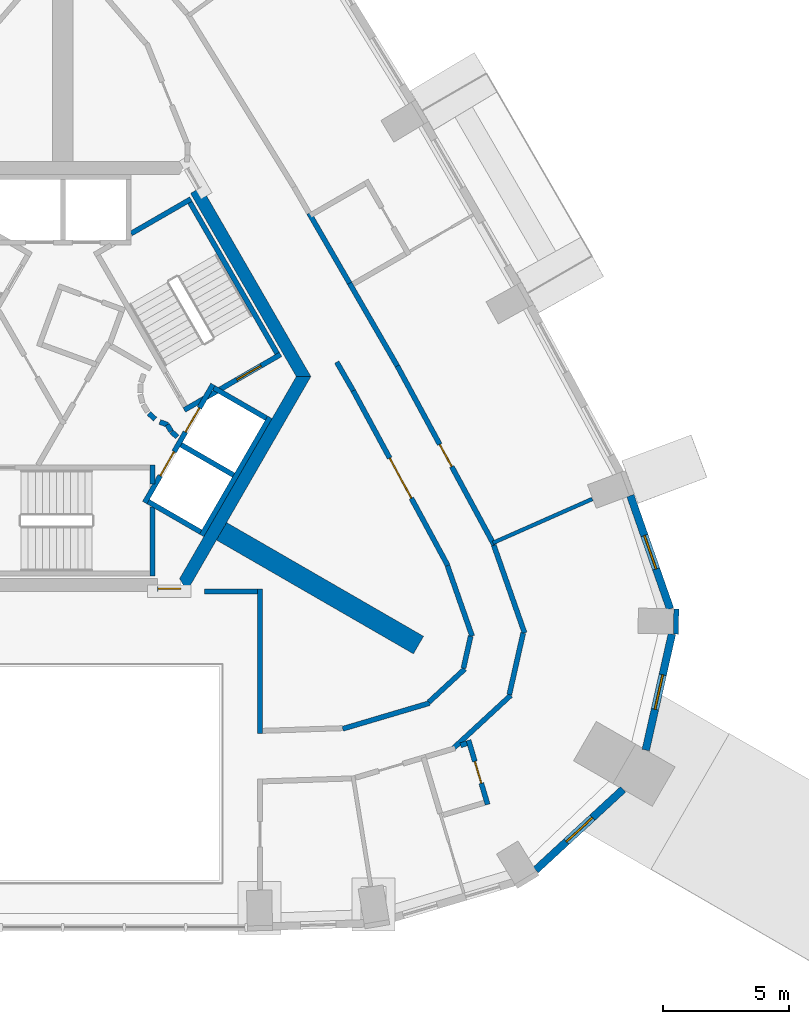
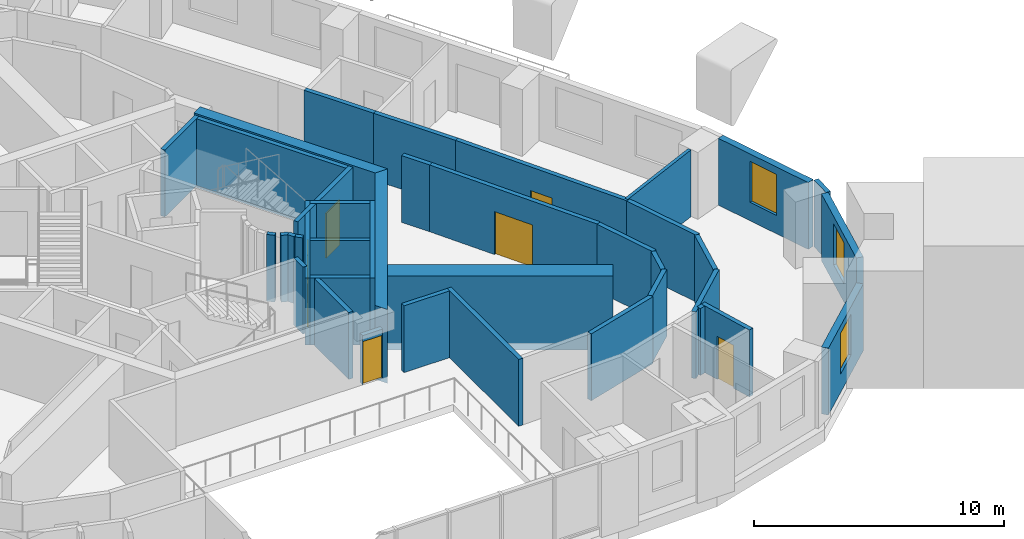
# One storey, part 6 of 11: 39 walls, 7 doors, 3 windows, 10 openings.
"""IFC4 building model written with IfcOpenShell, lengths in metres."""

from ifc_helpers import new_model, si_unit, direction, frame, frame_2d, origin, place, context, subcontext, project, spatial, polyline, rectangle, outline, extrude, material, layer, layer_set, type_object, element, fill, save


model = new_model("IFC4")

# Units and contexts
model_context = context("Model", 3, precision=1e-05, world=origin(), true_north=direction((0.0, 1.0)))
body_context = subcontext(model_context, "Body", "Model", "MODEL_VIEW")
ifc_project = project(units=[si_unit("LENGTHUNIT", "METRE"), si_unit("AREAUNIT", "SQUARE_METRE"), si_unit("VOLUMEUNIT", "CUBIC_METRE"), si_unit("PLANEANGLEUNIT", "RADIAN"), si_unit("MASSUNIT", "GRAM", prefix="KILO")], contexts=[model_context])

# Site, building, storey
site_placement = place(None, origin())
site = spatial("IfcSite", under=ifc_project, at=site_placement, CompositionType="ELEMENT")
building_placement = place(site_placement, origin())
building = spatial("IfcBuilding", under=site, at=building_placement, Name="Entoto Arch Interchange Tower", CompositionType="ELEMENT")
storey_placement = place(building_placement, frame((0.0, 0.0, 318.800048828125)))
storey = spatial("IfcBuildingStorey", under=building, at=storey_placement, Name="L75", CompositionType="ELEMENT", Elevation=318.800048828125)

# Wall
ifc_material_1 = material(Name="Concrete C40/50", Category="concrete")
ifc_layer_1 = layer(ifc_material_1, 0.800048828125)
ifc_layer_set_1 = layer_set([ifc_layer_1], Name="Concrete C40/50")
wall_type_1 = type_object("IfcWallType", Name="Buttress wall 800 C40/50", PredefinedType="SHEAR", material=ifc_layer_set_1)
wall_1_placement = place(storey_placement, frame((6.279052734375, -3.625, -0.340087890625), z_axis=(0.0, 0.0, 1.0), x_axis=(0.866017533419, -0.500013631625, 0.0)))
element("IfcWall", 1, at=wall_1_placement, inside=storey, type_object=wall_type_1, Name="Buttress wall SE L75", PredefinedType="SHEAR", context=body_context, shape_type="SweptSolid", body=[
    extrude(rectangle(XDim=8.999755859375, YDim=0.800048828125, at=frame_2d((4.5, 0.0))), origin(), (0.0, 0.0, 1.0), 3.60009765625),
])

# Wall, opening, door
ifc_material_2 = material(Name="Reinforced concrete C40/50", Category="concrete")
ifc_layer_2 = layer(ifc_material_2, 0.199951171875)
ifc_layer_set_2 = layer_set([ifc_layer_2], Name="Reinforced concrete C40/50")
wall_type_2 = type_object("IfcWallType", Name="CORE GAP INFILL WALL", PredefinedType="PARTITIONING", material=ifc_layer_set_2)
wall_2_placement = place(storey_placement, frame((3.75, -5.89990234375, 0.0), z_axis=(0.0, 0.0, 1.0), x_axis=(1.0, 0.0, 0.0)))
wall_2 = element("IfcWall", 2, at=wall_2_placement, inside=storey, type_object=wall_type_2, Name="wall:L75:gap1", PredefinedType="PARTITIONING", context=body_context, shape_type="SweptSolid", body=[
    extrude(rectangle(XDim=0.926025390625, YDim=0.199951171875, at=frame_2d((0.462890625, 0.0))), origin(), (0.0, 0.0, 1.0), 2.39990234375),
])
opening_1_placement = place(wall_2_placement, frame((0.01708984375, 0.0, 0.0)))
opening_1 = element("IfcOpeningElement", 3, at=opening_1_placement, cuts=wall_2, Name="Opening L75-D91", PredefinedType="OPENING", context=body_context, shape_type="SweptSolid", body=[
    extrude(rectangle(XDim=0.89990234375, YDim=2.10009765625, at=frame_2d((0.449951171875, 1.050048828125))), frame((0.0, 0.10986328125, 0.0), z_axis=(0.0, -1.0, 0.0), x_axis=(1.0, 0.0, 0.0)), (0.0, 0.0, 1.0), 0.219970703125),
])
ifc_material_3 = material(Name="Fire-rated Steel S235 door and frame", Category="steel")
door_type_1 = type_object("IfcDoorType", Name="DOOR FD-09 900x2100", OperationType="SINGLE_SWING_LEFT", PredefinedType="DOOR", material=ifc_material_3)
door_1_placement = place(opening_1_placement, origin())
door_1 = element("IfcDoor", 4, at=door_1_placement, inside=storey, type_object=door_type_1, Name="door:L75:gap1", OperationType="SINGLE_SWING_LEFT", OverallHeight=2.10009765625, OverallWidth=0.89990234375, PredefinedType="DOOR", context=body_context, shape_type="SweptSolid", body=[
    extrude(rectangle(XDim=0.89990234375, YDim=2.10009765625, at=frame_2d((0.449951171875, 1.050048828125))), frame((0.0, 0.02490234375, 0.0), z_axis=(0.0, -1.0, 0.0), x_axis=(1.0, 0.0, 0.0)), (0.0, 0.0, 1.0), 0.050048828125),
])
fill(opening_1, door_1)

# Walls
ifc_layer_3 = layer(ifc_material_1, 0.5)
ifc_layer_set_3 = layer_set([ifc_layer_3], Name="Concrete C40/50")
wall_type_3 = type_object("IfcWallType", Name="Core wall 500 C40/50", PredefinedType="SHEAR", material=ifc_layer_set_3)
wall_3_placement = place(storey_placement, frame((0.0, 0.0, -0.340087890625)))
element("IfcWall", 5, at=wall_3_placement, inside=storey, type_object=wall_type_3, Name="Core wall NE L75", PredefinedType="SHEAR", context=body_context, shape_type="SweptSolid", body=[
    extrude(outline(polyline([(5.486083984375, 9.998046875), (5.052978515625, 9.748046875), (9.238037109375, 2.5), (9.81494140625, 2.5), (5.486083984375, 9.998046875)])), origin(), (0.0, 0.0, 1.0), 3.60009765625),
])
wall_4_placement = place(storey_placement, frame((0.0, 0.0, -0.340087890625)))
element("IfcWall", 6, at=wall_4_placement, inside=storey, type_object=wall_type_3, Name="Core wall SE L75", PredefinedType="SHEAR", context=body_context, shape_type="SweptSolid", body=[
    extrude(outline(polyline([(4.906982421875, -6.0), (9.81494140625, 2.5), (9.238037109375, 2.5), (4.618896484375, -5.5), (4.906982421875, -6.0)])), origin(), (0.0, 0.0, 1.0), 3.60009765625),
])

# Wall, openings, doors
ifc_layer_4 = layer(ifc_material_1, 0.199951171875)
ifc_layer_set_4 = layer_set([ifc_layer_4], Name="Concrete C40/50")
wall_type_4 = type_object("IfcWallType", Name="LIFT SHAFT WALL 200", PredefinedType="STANDARD", material=ifc_layer_set_4)
wall_5_placement = place(storey_placement, frame((3.239990234375, -2.488037109375, 0.0), z_axis=(0.0, 0.0, 1.0), x_axis=(0.500034260056, 0.866005622828, 0.0)))
wall_5 = element("IfcWall", 7, at=wall_5_placement, inside=storey, type_object=wall_type_4, Name="Shaft wall SE1 front", PredefinedType="STANDARD", context=body_context, shape_type="SweptSolid", body=[
    extrude(rectangle(XDim=5.3994140625, YDim=0.199951171875, at=frame_2d((2.69970703125, 0.0))), origin(), (0.0, 0.0, 1.0), 3.260009765625),
])
opening_2_placement = place(wall_5_placement, frame((3.22509765625, 0.0, 0.0)))
opening_2 = element("IfcOpeningElement", 8, at=opening_2_placement, cuts=wall_5, Name="Opening LD-HR3-L75", PredefinedType="OPENING", context=body_context, shape_type="SweptSolid", body=[
    extrude(rectangle(XDim=1.10009765625, YDim=2.10009765625, at=frame_2d((0.550048828125, 1.050048828125))), frame((0.0, 0.10986328125, 0.0), z_axis=(0.0, -1.0, 0.0), x_axis=(1.0, 0.0, 0.0)), (0.0, 0.0, 1.0), 0.219970703125),
])
opening_3_placement = place(wall_5_placement, frame((1.22509765625, 0.0, 0.0)))
opening_3 = element("IfcOpeningElement", 9, at=opening_3_placement, cuts=wall_5, Name="Opening LD-FF1-L75", PredefinedType="OPENING", context=body_context, shape_type="SweptSolid", body=[
    extrude(rectangle(XDim=1.10009765625, YDim=2.10009765625, at=frame_2d((0.550048828125, 1.050048828125))), frame((0.0, 0.10986328125, 0.0), z_axis=(0.0, -1.0, 0.0), x_axis=(1.0, 0.0, 0.0)), (0.0, 0.0, 1.0), 0.219970703125),
])
ifc_material_4 = material(Name="Stainless steel 1.4301 panels", Category="steel")
door_type_2 = type_object("IfcDoorType", Name="LIFT LANDING DOOR LD1 1100x2100", OperationType="SLIDING_TO_LEFT", PredefinedType="DOOR", material=ifc_material_4)
door_2_placement = place(opening_2_placement, origin())
door_2 = element("IfcDoor", 10, at=door_2_placement, inside=storey, type_object=door_type_2, Name="Lift landing door HR3 L75", OperationType="SLIDING_TO_LEFT", OverallHeight=2.10009765625, OverallWidth=1.10009765625, PredefinedType="DOOR", context=body_context, shape_type="SweptSolid", body=[
    extrude(rectangle(XDim=1.10009765625, YDim=2.10009765625, at=frame_2d((0.550048828125, 1.050048828125))), frame((0.0, 0.02490234375, 0.0), z_axis=(0.0, -1.0, 0.0), x_axis=(1.0, 0.0, 0.0)), (0.0, 0.0, 1.0), 0.050048828125),
])
fill(opening_2, door_2)
door_3_placement = place(opening_3_placement, origin())
door_3 = element("IfcDoor", 11, at=door_3_placement, inside=storey, type_object=door_type_2, Name="Lift landing door FF1 L75", OperationType="SLIDING_TO_LEFT", OverallHeight=2.10009765625, OverallWidth=1.10009765625, PredefinedType="DOOR", context=body_context, shape_type="SweptSolid", body=[
    extrude(rectangle(XDim=1.10009765625, YDim=2.10009765625, at=frame_2d((0.550048828125, 1.050048828125))), frame((0.0, 0.02490234375, 0.0), z_axis=(0.0, -1.0, 0.0), x_axis=(1.0, 0.0, 0.0)), (0.0, 0.0, 1.0), 0.050048828125),
])
fill(opening_3, door_3)

# Walls
wall_6_placement = place(storey_placement, frame((5.491943359375, -3.7880859375, 0.0), z_axis=(0.0, 0.0, 1.0), x_axis=(0.500034260056, 0.866005622828, 0.0)))
element("IfcWall", 12, at=wall_6_placement, inside=storey, type_object=wall_type_4, Name="Shaft wall SE1 back", PredefinedType="STANDARD", context=body_context, shape_type="SweptSolid", body=[
    extrude(rectangle(XDim=5.3994140625, YDim=0.199951171875, at=frame_2d((2.69970703125, 0.0))), origin(), (0.0, 0.0, 1.0), 3.260009765625),
])
wall_7_placement = place(storey_placement, frame((3.376953125, -2.451904296875, 0.0), z_axis=(0.0, 0.0, 1.0), x_axis=(0.865955154139, -0.50012165622, 0.0)))
element("IfcWall", 13, at=wall_7_placement, inside=storey, type_object=wall_type_4, Name="Shaft wall SE1 cross 1", PredefinedType="STANDARD", context=body_context, shape_type="SweptSolid", body=[
    extrude(rectangle(XDim=2.39990234375, YDim=0.199951171875, at=frame_2d((1.199951171875, 0.0))), origin(), (0.0, 0.0, 1.0), 3.260009765625),
])
for number, where, z_axis, x_axis, name in (
    (14, (4.677001953125, -0.199951171875, 0.0), (0.0, 0.0, 1.0), (0.865973769406, -0.500089422704, 0.0), "Shaft wall SE1 cross 2"),
    (15, (5.97705078125, 2.052001953125, 0.0), (0.0, 0.0, 1.0), (0.865973769406, -0.500089422704, 0.0), "Shaft wall SE1 cross 3"),
):
    element("IfcWall", number, at=place(storey_placement, frame(where, z_axis=z_axis, x_axis=x_axis)), inside=storey, type_object=wall_type_4, Name=name, PredefinedType="STANDARD", context=body_context, shape_type="SweptSolid", body=[
        extrude(rectangle(XDim=2.3994140625, YDim=0.199951171875, at=frame_2d((1.19970703125, 0.0))), origin(), (0.0, 0.0, 1.0), 3.260009765625),
    ])
ifc_material_5 = material(Name="Gypsum board partition on steel studs", Category="steel")
ifc_layer_5 = layer(ifc_material_5, 0.14990234375)
ifc_layer_set_5 = layer_set([ifc_layer_5], Name="Gypsum board partition on steel studs")
wall_type_5 = type_object("IfcWallType", Name="PARTITION 150", PredefinedType="PARTITIONING", material=ifc_layer_set_5)
wall_8_placement = place(storey_placement, frame((17.02001953125, -4.08203125, 0.0), z_axis=(0.0, 0.0, 1.0), x_axis=(0.914599611743, 0.404360668462, 0.0)))
element("IfcWall", 16, at=wall_8_placement, inside=storey, type_object=wall_type_5, Name="wall:L75:p086", PredefinedType="PARTITIONING", context=body_context, shape_type="SweptSolid", body=[
    extrude(rectangle(XDim=4.2958984375, YDim=0.14990234375, at=frame_2d((2.14794921875, 0.0))), origin(), (0.0, 0.0, 1.0), 3.260009765625),
])
ifc_layer_6 = layer(ifc_material_5, 0.199951171875)
ifc_layer_set_6 = layer_set([ifc_layer_6], Name="Gypsum board partition on steel studs")
wall_type_6 = type_object("IfcWallType", Name="PARTITION 200", PredefinedType="PARTITIONING", material=ifc_layer_set_6)
wall_9_placement = place(storey_placement, frame((11.075927734375, -11.43896484375, 0.0), z_axis=(0.0, 0.0, 1.0), x_axis=(0.958760241353, 0.284216114252, 0.0)))
element("IfcWall", 17, at=wall_9_placement, inside=storey, type_object=wall_type_6, Name="wall:L75:p015", PredefinedType="PARTITIONING", context=body_context, shape_type="SweptSolid", body=[
    extrude(rectangle(XDim=3.57763671875, YDim=0.199951171875, at=frame_2d((1.788818359375, 0.0))), origin(), (0.0, 0.0, 1.0), 3.260009765625),
])
wall_10_placement = place(storey_placement, frame((14.48388671875, -10.382080078125, 0.0), z_axis=(0.0, 0.0, 1.0), x_axis=(0.735026247728, 0.678038653139, 0.0)))
element("IfcWall", 18, at=wall_10_placement, inside=storey, type_object=wall_type_6, Name="wall:L75:p016", PredefinedType="PARTITIONING", context=body_context, shape_type="SweptSolid", body=[
    extrude(rectangle(XDim=1.93212890625, YDim=0.199951171875, at=frame_2d((0.966064453125, 0.0))), origin(), (0.0, 0.0, 1.0), 3.260009765625),
])
wall_11_placement = place(storey_placement, frame((15.85205078125, -9.0419921875, 0.0), z_axis=(0.0, 0.0, 1.0), x_axis=(0.220324178782, 0.975426704701, 0.0)))
element("IfcWall", 19, at=wall_11_placement, inside=storey, type_object=wall_type_6, Name="wall:L75:p017", PredefinedType="PARTITIONING", context=body_context, shape_type="SweptSolid", body=[
    extrude(rectangle(XDim=1.302001953125, YDim=0.199951171875, at=frame_2d((0.65087890625, 0.0))), origin(), (0.0, 0.0, 1.0), 3.260009765625),
])
wall_12_placement = place(storey_placement, frame((16.194091796875, -7.76806640625, 0.0), z_axis=(0.0, 0.0, 1.0), x_axis=(-0.330981563235, 0.943637220969, 0.0)))
element("IfcWall", 20, at=wall_12_placement, inside=storey, type_object=wall_type_6, Name="wall:L75:p018", PredefinedType="PARTITIONING", context=body_context, shape_type="SweptSolid", body=[
    extrude(rectangle(XDim=2.946044921875, YDim=0.199951171875, at=frame_2d((1.47314453125, 0.0))), origin(), (0.0, 0.0, 1.0), 3.260009765625),
])

# Wall, opening, door
wall_13_placement = place(storey_placement, frame((15.23291015625, -4.98193359375, 0.0), z_axis=(0.0, 0.0, 1.0), x_axis=(-0.475643534049, 0.879638123615, 0.0)))
wall_13 = element("IfcWall", 21, at=wall_13_placement, inside=storey, type_object=wall_type_6, Name="wall:L75:p019", PredefinedType="PARTITIONING", context=body_context, shape_type="SweptSolid", body=[
    extrude(rectangle(XDim=7.871337890625, YDim=0.199951171875, at=frame_2d((3.935546875, 0.0))), origin(), (0.0, 0.0, 1.0), 3.260009765625),
])
opening_4_placement = place(wall_13_placement, frame((3.035888671875, 0.0, 0.0)))
opening_4 = element("IfcOpeningElement", 22, at=opening_4_placement, cuts=wall_13, Name="Opening L75-D19", PredefinedType="OPENING", context=body_context, shape_type="SweptSolid", body=[
    extrude(rectangle(XDim=1.800048828125, YDim=2.10009765625, at=frame_2d((0.89990234375, 1.050048828125))), frame((0.0, 0.10986328125, 0.0), z_axis=(0.0, -1.0, 0.0), x_axis=(1.0, 0.0, 0.0)), (0.0, 0.0, 1.0), 0.219970703125),
])
ifc_material_6 = material(Name="Timber door leaf in Steel S235 frame", Category="steel")
door_type_3 = type_object("IfcDoorType", Name="DOOR DD-18 1800x2100", OperationType="DOUBLE_DOOR_SINGLE_SWING", PredefinedType="DOOR", material=ifc_material_6)
door_4_placement = place(opening_4_placement, origin())
door_4 = element("IfcDoor", 23, at=door_4_placement, inside=storey, type_object=door_type_3, Name="door:L75:19", OperationType="DOUBLE_DOOR_SINGLE_SWING", OverallHeight=2.10009765625, OverallWidth=1.800048828125, PredefinedType="DOOR", context=body_context, shape_type="SweptSolid", body=[
    extrude(rectangle(XDim=1.800048828125, YDim=2.10009765625, at=frame_2d((0.89990234375, 1.050048828125))), frame((0.0, 0.02490234375, 0.0), z_axis=(0.0, -1.0, 0.0), x_axis=(1.0, 0.0, 0.0)), (0.0, 0.0, 1.0), 0.050048828125),
])
fill(opening_4, door_4)

# Walls
wall_14_placement = place(storey_placement, frame((11.489013671875, 1.94189453125, 0.0), z_axis=(0.0, 0.0, 1.0), x_axis=(-0.499544076393, 0.866288471435, 0.0)))
element("IfcWall", 24, at=wall_14_placement, inside=storey, type_object=wall_type_6, Name="wall:L75:p020", PredefinedType="PARTITIONING", context=body_context, shape_type="SweptSolid", body=[
    extrude(rectangle(XDim=1.303466796875, YDim=0.199951171875, at=frame_2d((0.65185546875, 0.0))), origin(), (0.0, 0.0, 1.0), 3.260009765625),
])
wall_15_placement = place(storey_placement, frame((17.052978515625, -4.177001953125, 0.0), z_axis=(0.0, 0.0, 1.0), x_axis=(0.33112192567, -0.943587977001, 0.0)))
element("IfcWall", 25, at=wall_15_placement, inside=storey, type_object=wall_type_6, Name="wall:L75:p031", PredefinedType="PARTITIONING", context=body_context, shape_type="SweptSolid", body=[
    extrude(rectangle(XDim=3.678466796875, YDim=0.199951171875, at=frame_2d((1.83935546875, 0.0))), origin(), (0.0, 0.0, 1.0), 3.260009765625),
])
wall_16_placement = place(storey_placement, frame((18.216064453125, -7.65087890625, 0.0), z_axis=(0.0, 0.0, 1.0), x_axis=(-0.219979161162, -0.975504571314, 0.0)))
element("IfcWall", 26, at=wall_16_placement, inside=storey, type_object=wall_type_6, Name="wall:L75:p032", PredefinedType="PARTITIONING", context=body_context, shape_type="SweptSolid", body=[
    extrude(rectangle(XDim=2.50048828125, YDim=0.199951171875, at=frame_2d((1.250244140625, 0.0))), origin(), (0.0, 0.0, 1.0), 3.260009765625),
])
wall_17_placement = place(storey_placement, frame((17.718017578125, -10.118896484375, 0.0), z_axis=(0.0, 0.0, 1.0), x_axis=(-0.734673909713, -0.678420405344, 0.0)))
element("IfcWall", 27, at=wall_17_placement, inside=storey, type_object=wall_type_6, Name="wall:L75:p033", PredefinedType="PARTITIONING", context=body_context, shape_type="SweptSolid", body=[
    extrude(rectangle(XDim=3.107421875, YDim=0.199951171875, at=frame_2d((1.5537109375, 0.0))), origin(), (0.0, 0.0, 1.0), 3.260009765625),
])
wall_18_placement = place(storey_placement, frame((11.343994140625, 6.193115234375, 0.0), z_axis=(0.0, 0.0, 1.0), x_axis=(0.50004096614, -0.86600175068, 0.0)))
element("IfcWall", 28, at=wall_18_placement, inside=storey, type_object=wall_type_6, Name="wall:L75:p035", PredefinedType="PARTITIONING", context=body_context, shape_type="SweptSolid", body=[
    extrude(rectangle(XDim=3.781982421875, YDim=0.199951171875, at=frame_2d((1.89111328125, 0.0))), origin(), (0.0, 0.0, 1.0), 3.260009765625),
])

# Wall, opening, door
wall_19_placement = place(storey_placement, frame((13.235107421875, 2.91796875, 0.0), z_axis=(0.0, 0.0, 1.0), x_axis=(0.475681790703, -0.879617436158, 0.0)))
wall_19 = element("IfcWall", 29, at=wall_19_placement, inside=storey, type_object=wall_type_6, Name="wall:L75:p036", PredefinedType="PARTITIONING", context=body_context, shape_type="SweptSolid", body=[
    extrude(rectangle(XDim=8.057861328125, YDim=0.199951171875, at=frame_2d((4.02880859375, 0.0))), origin(), (0.0, 0.0, 1.0), 3.260009765625),
])
opening_5_placement = place(wall_19_placement, frame((3.529052734375, 0.0, 0.0)))
opening_5 = element("IfcOpeningElement", 30, at=opening_5_placement, cuts=wall_19, Name="Opening L75-D04", PredefinedType="OPENING", context=body_context, shape_type="SweptSolid", body=[
    extrude(rectangle(XDim=1.0, YDim=2.10009765625, at=frame_2d((0.5, 1.050048828125))), frame((0.0, 0.10986328125, 0.0), z_axis=(0.0, -1.0, 0.0), x_axis=(1.0, 0.0, 0.0)), (0.0, 0.0, 1.0), 0.219970703125),
])
door_type_4 = type_object("IfcDoorType", Name="DOOR FD-10 1000x2100", OperationType="SINGLE_SWING_LEFT", PredefinedType="DOOR", material=ifc_material_3)
door_5_placement = place(opening_5_placement, origin())
door_5 = element("IfcDoor", 31, at=door_5_placement, inside=storey, type_object=door_type_4, Name="door:L75:04", OperationType="SINGLE_SWING_LEFT", OverallHeight=2.10009765625, OverallWidth=1.0, PredefinedType="DOOR", context=body_context, shape_type="SweptSolid", body=[
    extrude(rectangle(XDim=1.0, YDim=2.10009765625, at=frame_2d((0.5, 1.050048828125))), frame((0.0, 0.02490234375, 0.0), z_axis=(0.0, -1.0, 0.0), x_axis=(1.0, 0.0, 0.0)), (0.0, 0.0, 1.0), 0.050048828125),
])
fill(opening_5, door_5)

# Walls
wall_20_placement = place(storey_placement, frame((9.743896484375, 8.964111328125, 0.0), z_axis=(0.0, 0.0, 1.0), x_axis=(0.500290307618, -0.865857729713, 0.0)))
element("IfcWall", 32, at=wall_20_placement, inside=storey, type_object=wall_type_6, Name="wall:L75:p039", PredefinedType="PARTITIONING", context=body_context, shape_type="SweptSolid", body=[
    extrude(rectangle(XDim=3.2001953125, YDim=0.199951171875, at=frame_2d((1.60009765625, 0.0))), origin(), (0.0, 0.0, 1.0), 3.260009765625),
])
wall_21_placement = place(storey_placement, frame((3.404052734375, 1.0390625, 0.0), z_axis=(0.0, 0.0, 1.0), x_axis=(0.740267097712, -0.672312891476, 0.0)))
element("IfcWall", 33, at=wall_21_placement, inside=storey, type_object=wall_type_6, Name="wall:L75:p064", PredefinedType="PARTITIONING", context=body_context, shape_type="SweptSolid", body=[
    extrude(rectangle(XDim=0.337646484375, YDim=0.199951171875, at=frame_2d((0.1689453125, 0.0))), origin(), (0.0, 0.0, 1.0), 3.260009765625),
])
wall_22_placement = place(storey_placement, frame((3.837890625, 0.701904296875, 0.0), z_axis=(0.0, 0.0, 1.0), x_axis=(0.941035081519, -0.338308993895, 0.0)))
element("IfcWall", 34, at=wall_22_placement, inside=storey, type_object=wall_type_6, Name="wall:L75:p065", PredefinedType="PARTITIONING", context=body_context, shape_type="SweptSolid", body=[
    extrude(rectangle(XDim=0.3369140625, YDim=0.199951171875, at=frame_2d((0.16845703125, 0.0))), origin(), (0.0, 0.0, 1.0), 3.260009765625),
])
wall_23_placement = place(storey_placement, frame((4.132080078125, 0.593017578125, 0.0), z_axis=(0.0, 0.0, 1.0), x_axis=(0.513561617048, -0.858052717201, 0.0)))
element("IfcWall", 35, at=wall_23_placement, inside=storey, type_object=wall_type_6, Name="wall:L75:p066", PredefinedType="PARTITIONING", context=body_context, shape_type="SweptSolid", body=[
    extrude(rectangle(XDim=0.3076171875, YDim=0.199951171875, at=frame_2d((0.15380859375, 0.0))), origin(), (0.0, 0.0, 1.0), 3.260009765625),
])
wall_24_placement = place(storey_placement, frame((4.301025390625, 0.31494140625, 0.0), z_axis=(0.0, 0.0, 1.0), x_axis=(0.741798017506, -0.670623367639, 0.0)))
element("IfcWall", 36, at=wall_24_placement, inside=storey, type_object=wall_type_6, Name="wall:L75:p067", PredefinedType="PARTITIONING", context=body_context, shape_type="SweptSolid", body=[
    extrude(rectangle(XDim=0.30859375, YDim=0.199951171875, at=frame_2d((0.154296875, 0.0))), origin(), (0.0, 0.0, 1.0), 3.260009765625),
])
wall_25_placement = place(storey_placement, frame((5.60107421875, -5.9990234375, 0.0), z_axis=(0.0, 0.0, 1.0), x_axis=(1.0, 0.0, 0.0)))
element("IfcWall", 37, at=wall_25_placement, inside=storey, type_object=wall_type_6, Name="wall:L75:p069", PredefinedType="PARTITIONING", context=body_context, shape_type="SweptSolid", body=[
    extrude(rectangle(XDim=2.098876953125, YDim=0.199951171875, at=frame_2d((1.04931640625, 0.0))), origin(), (0.0, 0.0, 1.0), 3.260009765625),
])
wall_26_placement = place(storey_placement, frame((7.800048828125, -5.89892578125, 0.0), z_axis=(0.0, 0.0, 1.0), x_axis=(0.0, -1.0, 0.0)))
element("IfcWall", 38, at=wall_26_placement, inside=storey, type_object=wall_type_6, Name="wall:L75:p070", PredefinedType="PARTITIONING", context=body_context, shape_type="SweptSolid", body=[
    extrude(rectangle(XDim=5.72509765625, YDim=0.199951171875, at=frame_2d((2.862548828125, 0.0))), origin(), (0.0, 0.0, 1.0), 3.260009765625),
])

# Wall, opening, door
wall_27_placement = place(storey_placement, frame((16.80810546875, -14.43310546875, 0.0), z_axis=(0.0, 0.0, 1.0), x_axis=(-0.284524220245, 0.958668852156, 0.0)))
wall_27 = element("IfcWall", 39, at=wall_27_placement, inside=storey, type_object=wall_type_6, Name="wall:L75:p084", PredefinedType="PARTITIONING", context=body_context, shape_type="SweptSolid", body=[
    extrude(rectangle(XDim=2.650634765625, YDim=0.199951171875, at=frame_2d((1.3251953125, 0.0))), origin(), (0.0, 0.0, 1.0), 3.260009765625),
])
opening_6_placement = place(wall_27_placement, frame((0.875, 0.0, 0.0)))
opening_6 = element("IfcOpeningElement", 40, at=opening_6_placement, cuts=wall_27, Name="Opening L75-D03", PredefinedType="OPENING", context=body_context, shape_type="SweptSolid", body=[
    extrude(rectangle(XDim=0.89990234375, YDim=2.10009765625, at=frame_2d((0.449951171875, 1.050048828125))), frame((0.0, 0.10986328125, 0.0), z_axis=(0.0, -1.0, 0.0), x_axis=(1.0, 0.0, 0.0)), (0.0, 0.0, 1.0), 0.219970703125),
])
door_type_5 = type_object("IfcDoorType", Name="DOOR DS-09 900x2100", OperationType="SINGLE_SWING_LEFT", PredefinedType="DOOR", material=ifc_material_6)
door_6_placement = place(opening_6_placement, origin())
door_6 = element("IfcDoor", 41, at=door_6_placement, inside=storey, type_object=door_type_5, Name="door:L75:03", OperationType="SINGLE_SWING_LEFT", OverallHeight=2.10009765625, OverallWidth=0.89990234375, PredefinedType="DOOR", context=body_context, shape_type="SweptSolid", body=[
    extrude(rectangle(XDim=0.89990234375, YDim=2.10009765625, at=frame_2d((0.449951171875, 1.050048828125))), frame((0.0, 0.02490234375, 0.0), z_axis=(0.0, -1.0, 0.0), x_axis=(1.0, 0.0, 0.0)), (0.0, 0.0, 1.0), 0.050048828125),
])
fill(opening_6, door_6)

# Walls
wall_28_placement = place(storey_placement, frame((15.987060546875, -12.01708984375, 0.0), z_axis=(0.0, 0.0, 1.0), x_axis=(-0.958598776535, -0.284760224794, 0.0)))
element("IfcWall", 42, at=wall_28_placement, inside=storey, type_object=wall_type_6, Name="wall:L75:p085", PredefinedType="PARTITIONING", context=body_context, shape_type="SweptSolid", body=[
    extrude(rectangle(XDim=0.259765625, YDim=0.199951171875, at=frame_2d((0.1298828125, 0.0))), origin(), (0.0, 0.0, 1.0), 3.260009765625),
])
ifc_layer_7 = layer(ifc_material_1, 0.199951171875)
ifc_layer_set_7 = layer_set([ifc_layer_7], Name="Concrete C40/50")
wall_type_7 = type_object("IfcWallType", Name="STAIR ENCLOSURE WALL 200", PredefinedType="STANDARD", material=ifc_layer_set_7)
wall_29_placement = place(storey_placement, frame((3.550048828125, -2.6669921875, 0.0), z_axis=(0.0, 0.0, 1.0), x_axis=(0.0, -1.0, 0.0)))
element("IfcWall", 43, at=wall_29_placement, inside=storey, type_object=wall_type_7, Name="Stair wall ST-S far", PredefinedType="STANDARD", context=body_context, shape_type="SweptSolid", body=[
    extrude(rectangle(XDim=2.73291015625, YDim=0.199951171875, at=frame_2d((1.366455078125, 0.0))), origin(), (0.0, 0.0, 1.0), 3.260009765625),
])
wall_30_placement = place(storey_placement, frame((3.550048828125, -1.0, 0.0), z_axis=(0.0, 0.0, 1.0), x_axis=(0.0, -1.0, 0.0)))
element("IfcWall", 44, at=wall_30_placement, inside=storey, type_object=wall_type_7, Name="Stair wall ST-S far return", PredefinedType="STANDARD", context=body_context, shape_type="SweptSolid", body=[
    extrude(rectangle(XDim=0.7509765625, YDim=0.199951171875, at=frame_2d((0.37548828125, 0.0))), origin(), (0.0, 0.0, 1.0), 3.260009765625),
])

# Wall, opening, door
wall_31_placement = place(storey_placement, frame((4.805908203125, 1.176025390625, 0.0), z_axis=(0.0, 0.0, 1.0), x_axis=(0.866059941101, 0.499940174841, 0.0)))
wall_31 = element("IfcWall", 45, at=wall_31_placement, inside=storey, type_object=wall_type_7, Name="Stair wall ST-NE near", PredefinedType="STANDARD", context=body_context, shape_type="SweptSolid", body=[
    extrude(rectangle(XDim=4.400390625, YDim=0.199951171875, at=frame_2d((2.2001953125, 0.0))), origin(), (0.0, 0.0, 1.0), 3.260009765625),
])
opening_7_placement = place(wall_31_placement, frame((2.39990234375, 0.0, 0.0)))
opening_7 = element("IfcOpeningElement", 46, at=opening_7_placement, cuts=wall_31, Name="Opening SD-ST-NE-L75-E", PredefinedType="OPENING", context=body_context, shape_type="SweptSolid", body=[
    extrude(rectangle(XDim=1.10009765625, YDim=2.199951171875, at=frame_2d((0.550048828125, 1.10009765625))), frame((0.0, 0.10986328125, 0.0), z_axis=(0.0, -1.0, 0.0), x_axis=(1.0, 0.0, 0.0)), (0.0, 0.0, 1.0), 0.219970703125),
])
ifc_material_7 = material(Name="Steel S235", Category="steel")
door_type_6 = type_object("IfcDoorType", Name="STAIR DOOR SD1 1100x2200", OperationType="SINGLE_SWING_LEFT", PredefinedType="DOOR", material=ifc_material_7)
door_7_placement = place(opening_7_placement, origin())
door_7 = element("IfcDoor", 47, at=door_7_placement, inside=storey, type_object=door_type_6, Name="Stair door ST-NE L75 end", OperationType="SINGLE_SWING_LEFT", OverallHeight=2.199951171875, OverallWidth=1.10009765625, PredefinedType="DOOR", context=body_context, shape_type="SweptSolid", body=[
    extrude(rectangle(XDim=1.10009765625, YDim=2.199951171875, at=frame_2d((0.550048828125, 1.10009765625))), frame((0.0, 0.02490234375, 0.0), z_axis=(0.0, -1.0, 0.0), x_axis=(1.0, 0.0, 0.0)), (0.0, 0.0, 1.0), 0.050048828125),
])
fill(opening_7, door_7)

# Walls
wall_32_placement = place(storey_placement, frame((2.699951171875, 8.157958984375, 0.0), z_axis=(0.0, 0.0, 1.0), x_axis=(0.86611865017, 0.499838457731, 0.0)))
element("IfcWall", 48, at=wall_32_placement, inside=storey, type_object=wall_type_7, Name="Stair wall ST-NE far", PredefinedType="STANDARD", context=body_context, shape_type="SweptSolid", body=[
    extrude(rectangle(XDim=2.73291015625, YDim=0.199951171875, at=frame_2d((1.366455078125, 0.0))), origin(), (0.0, 0.0, 1.0), 3.260009765625),
])
wall_33_placement = place(storey_placement, frame((8.47998046875, 3.412109375, 0.0), z_axis=(0.0, 0.0, 1.0), x_axis=(-0.499978703459, 0.866037698999, 0.0)))
element("IfcWall", 49, at=wall_33_placement, inside=storey, type_object=wall_type_7, Name="Stair wall ST-NE back", PredefinedType="STANDARD", context=body_context, shape_type="SweptSolid", body=[
    extrude(rectangle(XDim=6.900146484375, YDim=0.199951171875, at=frame_2d((3.4501953125, 0.0))), origin(), (0.0, 0.0, 1.0), 3.260009765625),
])

# Wall, opening, window
ifc_material_8 = material(Name="Welded tuff (ignimbrite) cladding, warm buff", Category="masonry")
ifc_layer_8 = layer(ifc_material_8, 0.300048828125)
ifc_layer_set_8 = layer_set([ifc_layer_8], Name="Welded tuff (ignimbrite) cladding, warm buff")
wall_type_8 = type_object("IfcWallType", Name="STONE INFILL WALL 300", PredefinedType="STANDARD", material=ifc_layer_set_8)
wall_34_placement = place(storey_placement, frame((18.7119140625, -17.02587890625, 0.0), z_axis=(0.0, 0.0, 1.0), x_axis=(0.734934798699, 0.678137774838, 0.0)))
wall_34 = element("IfcWall", 50, at=wall_34_placement, inside=storey, type_object=wall_type_8, Name="Facade wall SE-02 L75", PredefinedType="STANDARD", context=body_context, shape_type="SweptSolid", body=[
    extrude(rectangle(XDim=4.70263671875, YDim=0.300048828125, at=frame_2d((2.351318359375, 0.0))), origin(), (0.0, 0.0, 1.0), 3.260009765625),
])
opening_8_placement = place(wall_34_placement, frame((1.65087890625, 0.0, 0.89990234375)))
opening_8 = element("IfcOpeningElement", 51, at=opening_8_placement, cuts=wall_34, Name="Opening WH-B", PredefinedType="OPENING", context=body_context, shape_type="SweptSolid", body=[
    extrude(rectangle(XDim=1.39990234375, YDim=2.0, at=frame_2d((0.699951171875, 1.0))), frame((0.0, 0.16015625, 0.0), z_axis=(0.0, -1.0, 0.0), x_axis=(1.0, 0.0, 0.0)), (0.0, 0.0, 1.0), 0.320068359375),
])
ifc_material_9 = material(Name="Clear glass, low-e double glazed", Category="glass")
window_type = type_object("IfcWindowType", Name="WINDOW WH-B 1400x2000", PartitioningType="DOUBLE_PANEL_VERTICAL", PredefinedType="WINDOW", material=ifc_material_9)
window_1_placement = place(opening_8_placement, origin())
window_1 = element("IfcWindow", 52, at=window_1_placement, inside=storey, type_object=window_type, Name="Window WH-B SE-02 L75", OverallHeight=2.0, OverallWidth=1.39990234375, PartitioningType="SINGLE_PANEL", PredefinedType="WINDOW", context=body_context, shape_type="SweptSolid", body=[
    extrude(rectangle(XDim=1.39990234375, YDim=2.0, at=frame_2d((0.699951171875, 1.0))), frame((0.0, 0.030029296875, 0.0), z_axis=(0.0, -1.0, 0.0), x_axis=(1.0, 0.0, 0.0)), (0.0, 0.0, 1.0), 0.06005859375),
])
fill(opening_8, window_1)

wall_35_placement = place(storey_placement, frame((23.06689453125, -12.280029296875, 0.0), z_axis=(0.0, 0.0, 1.0), x_axis=(0.219886442412, 0.975525475036, 0.0)))
wall_35 = element("IfcWall", 53, at=wall_35_placement, inside=storey, type_object=wall_type_8, Name="Facade wall SE-03 L75", PredefinedType="STANDARD", context=body_context, shape_type="SweptSolid", body=[
    extrude(rectangle(XDim=4.703125, YDim=0.300048828125, at=frame_2d((2.3515625, 0.0))), origin(), (0.0, 0.0, 1.0), 3.260009765625),
])
opening_9_placement = place(wall_35_placement, frame((1.652099609375, 0.0, 0.89990234375)))
opening_9 = element("IfcOpeningElement", 54, at=opening_9_placement, cuts=wall_35, Name="Opening WH-B", PredefinedType="OPENING", context=body_context, shape_type="SweptSolid", body=[
    extrude(rectangle(XDim=1.39990234375, YDim=2.0, at=frame_2d((0.699951171875, 1.0))), frame((0.0, 0.16015625, 0.0), z_axis=(0.0, -1.0, 0.0), x_axis=(1.0, 0.0, 0.0)), (0.0, 0.0, 1.0), 0.320068359375),
])
window_2_placement = place(opening_9_placement, origin())
window_2 = element("IfcWindow", 55, at=window_2_placement, inside=storey, type_object=window_type, Name="Window WH-B SE-03 L75", OverallHeight=2.0, OverallWidth=1.39990234375, PartitioningType="SINGLE_PANEL", PredefinedType="WINDOW", context=body_context, shape_type="SweptSolid", body=[
    extrude(rectangle(XDim=1.39990234375, YDim=2.0, at=frame_2d((0.699951171875, 1.0))), frame((0.0, 0.030029296875, 0.0), z_axis=(0.0, -1.0, 0.0), x_axis=(1.0, 0.0, 0.0)), (0.0, 0.0, 1.0), 0.06005859375),
])
fill(opening_9, window_2)

wall_36_placement = place(storey_placement, frame((24.029052734375, -6.69189453125, 0.0), z_axis=(0.0, 0.0, 1.0), x_axis=(-0.330923030855, 0.943657749213, 0.0)))
wall_36 = element("IfcWall", 56, at=wall_36_placement, inside=storey, type_object=wall_type_8, Name="Facade wall SE-04 L75", PredefinedType="STANDARD", context=body_context, shape_type="SweptSolid", body=[
    extrude(rectangle(XDim=4.74755859375, YDim=0.300048828125, at=frame_2d((2.373779296875, 0.0))), origin(), (0.0, 0.0, 1.0), 3.260009765625),
])
opening_10_placement = place(wall_36_placement, frame((1.674072265625, 0.0, 0.89990234375)))
opening_10 = element("IfcOpeningElement", 57, at=opening_10_placement, cuts=wall_36, Name="Opening WH-B", PredefinedType="OPENING", context=body_context, shape_type="SweptSolid", body=[
    extrude(rectangle(XDim=1.39990234375, YDim=2.0, at=frame_2d((0.699951171875, 1.0))), frame((0.0, 0.16015625, 0.0), z_axis=(0.0, -1.0, 0.0), x_axis=(1.0, 0.0, 0.0)), (0.0, 0.0, 1.0), 0.320068359375),
])
window_3_placement = place(opening_10_placement, origin())
window_3 = element("IfcWindow", 58, at=window_3_placement, inside=storey, type_object=window_type, Name="Window WH-B SE-04 L75", OverallHeight=2.0, OverallWidth=1.39990234375, PartitioningType="SINGLE_PANEL", PredefinedType="WINDOW", context=body_context, shape_type="SweptSolid", body=[
    extrude(rectangle(XDim=1.39990234375, YDim=2.0, at=frame_2d((0.699951171875, 1.0))), frame((0.0, 0.030029296875, 0.0), z_axis=(0.0, -1.0, 0.0), x_axis=(1.0, 0.0, 0.0)), (0.0, 0.0, 1.0), 0.06005859375),
])
fill(opening_10, window_3)

# Wall
ifc_layer_9 = layer(ifc_material_8, 0.199951171875)
ifc_layer_set_9 = layer_set([ifc_layer_9], Name="Welded tuff (ignimbrite) cladding, warm buff")
wall_type_9 = type_object("IfcWallType", Name="STONE PIER CLADDING 200", PredefinedType="STANDARD", material=ifc_layer_set_9)
wall_37_placement = place(storey_placement, frame((24.25390625, -7.696044921875, 0.0), z_axis=(0.0, 0.0, 1.0), x_axis=(0.024186470916, 0.999707464524, 0.0)))
element("IfcWall", 59, at=wall_37_placement, inside=storey, type_object=wall_type_9, Name="Stone pier SE3 L75", PredefinedType="STANDARD", context=body_context, shape_type="SweptSolid", body=[
    extrude(rectangle(XDim=0.999267578125, YDim=0.199951171875, at=frame_2d((0.49951171875, 0.0))), origin(), (0.0, 0.0, 1.0), 3.260009765625),
])

save(model, "model.ifc")
